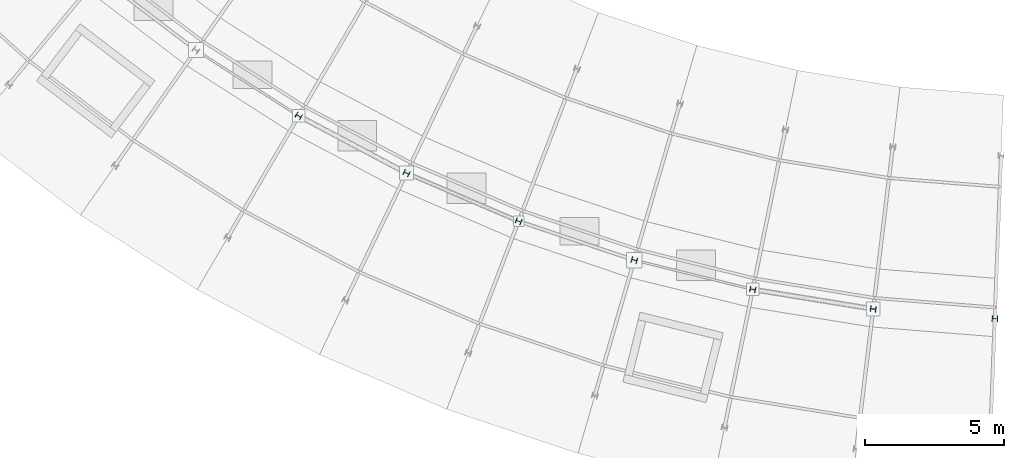
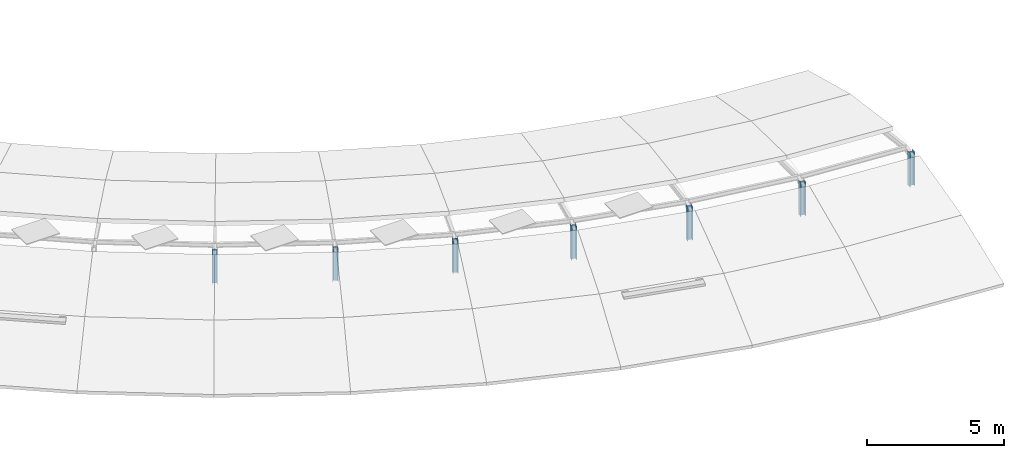
# One storey, part 3 of 40: 7 columns.
"""IFC4 building model written with IfcOpenShell, lengths in metres."""

from ifc_helpers import new_model, si_unit, direction, frame, origin, origin_2d, place, context, subcontext, project, spatial, i_section, extrude, material, material_profile, profile_set, type_object, element, save


model = new_model("IFC4")

# Units and contexts
model_context = context("Model", 3, precision=1e-05, world=origin(), true_north=direction((0.0, 1.0)))
body_context = subcontext(model_context, "Body", "Model", "MODEL_VIEW")
ifc_project = project(units=[si_unit("LENGTHUNIT", "METRE"), si_unit("AREAUNIT", "SQUARE_METRE"), si_unit("VOLUMEUNIT", "CUBIC_METRE"), si_unit("PLANEANGLEUNIT", "RADIAN"), si_unit("MASSUNIT", "GRAM", prefix="KILO")], contexts=[model_context])

# Site, building, storey
site_placement = place(None, origin())
site = spatial("IfcSite", under=ifc_project, at=site_placement, CompositionType="ELEMENT")
building_placement = place(site_placement, origin())
building = spatial("IfcBuilding", under=site, at=building_placement, Name="Zimvara Arc Housing Community", CompositionType="ELEMENT")
storey_placement = place(building_placement, frame((0.0, 0.0, 32.89990234375)))
storey = spatial("IfcBuildingStorey", under=building, at=storey_placement, Name="L10", CompositionType="ELEMENT", Elevation=32.89990234375)

# Columns
ifc_material = material(Name="Steel S355", Category="steel")
ifc_material_profile = material_profile(ifc_material, i_section(OverallWidth=0.199951171875, OverallDepth=0.199951171875, WebThickness=0.009033203125, FlangeThickness=0.014892578125, FilletRadius=0.01806640625, at=origin_2d()), Name="HEB 200")
ifc_profile_set = profile_set([ifc_material_profile], Name="Steel S355")
column_type = type_object("IfcColumnType", Name="COL-ST-HEB200", PredefinedType="COLUMN", material=ifc_profile_set)
for number, where, z_axis, x_axis, name in (
    (1, (98.8525390625, 63.39990234375, 0.0), (0.0, 0.0, 1.0), (-0.504226211181, -0.863571611366, 0.0), "col:blkC:L10:ribpost2:g4"),
    (2, (102.73388671875, 61.34130859375, 0.0), (0.0, 0.0, 1.0), (-0.432085748802, -0.901832526405, 0.0), "col:blkC:L10:ribpost2:g5"),
    (3, (106.77001953125, 59.6064453125, 0.0), (0.0, 0.0, 1.0), (-0.357064076459, -0.934079892355, 0.0), "col:blkC:L10:ribpost2:g6"),
    (4, (110.934326171875, 58.206787109375, 0.0), (0.0, 0.0, 1.0), (-0.27966144946, -0.96009867914, 0.0), "col:blkC:L10:ribpost2:g7"),
    (5, (115.19873046875, 57.1513671875, 0.0), (0.0, 0.0, 1.0), (-0.200393999665, -0.979715389742, 0.0), "col:blkC:L10:ribpost2:g8"),
    (6, (119.535400390625, 56.447509765625, 0.0), (0.0, 0.0, 1.0), (-0.119790293837, -0.992799217114, 0.0), "col:blkC:L10:ribpost2:g9"),
    (7, (123.914794921875, 56.099609375, 0.0), (0.0, 0.0, 1.0), (-0.038387809088, -0.999262916411, 0.0), "col:blkC:L10:ribpost2:g10"),
):
    element("IfcColumn", number, at=place(storey_placement, frame(where, z_axis=z_axis, x_axis=x_axis)), inside=storey, type_object=column_type, Name=name, PredefinedType="COLUMN", context=body_context, shape_type="SweptSolid", body=[
        extrude(i_section(OverallWidth=0.199951171875, OverallDepth=0.199951171875, WebThickness=0.009033203125, FlangeThickness=0.014892578125, FilletRadius=0.01806640625, at=origin_2d()), origin(), (0.0, 0.0, 1.0), 1.51513671875),
    ])

save(model, "model.ifc")
